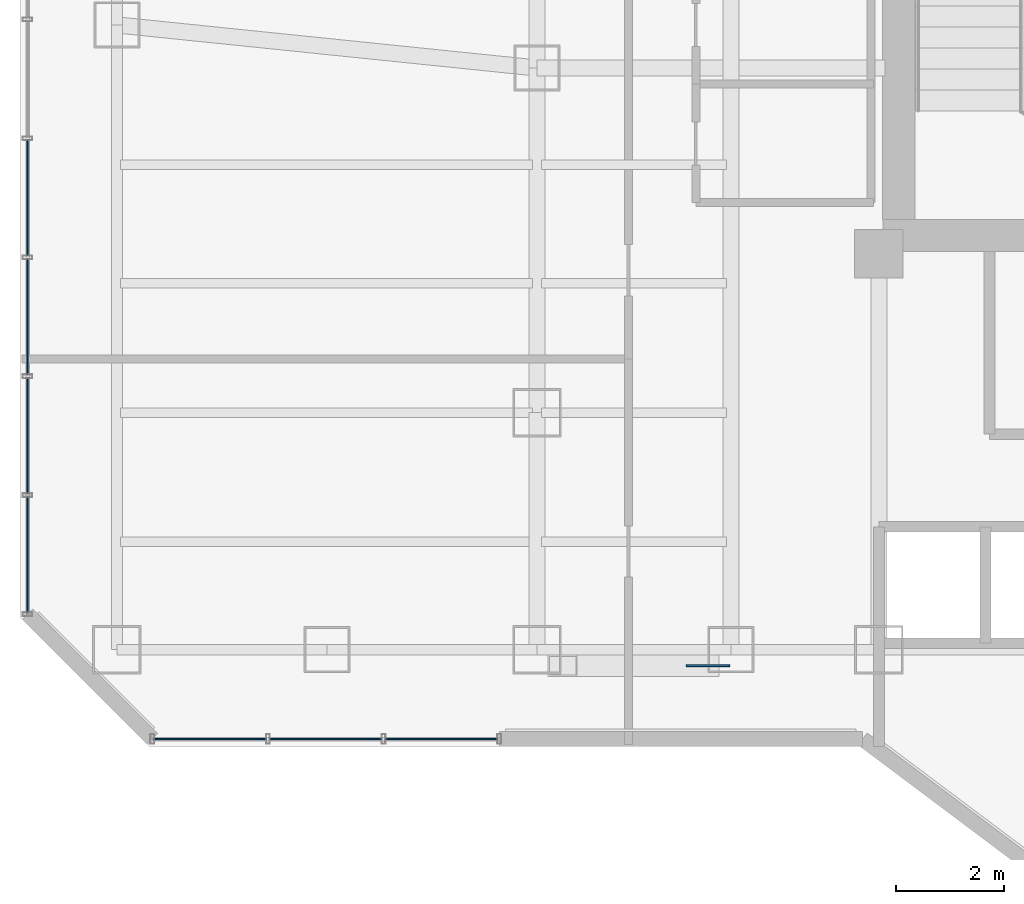
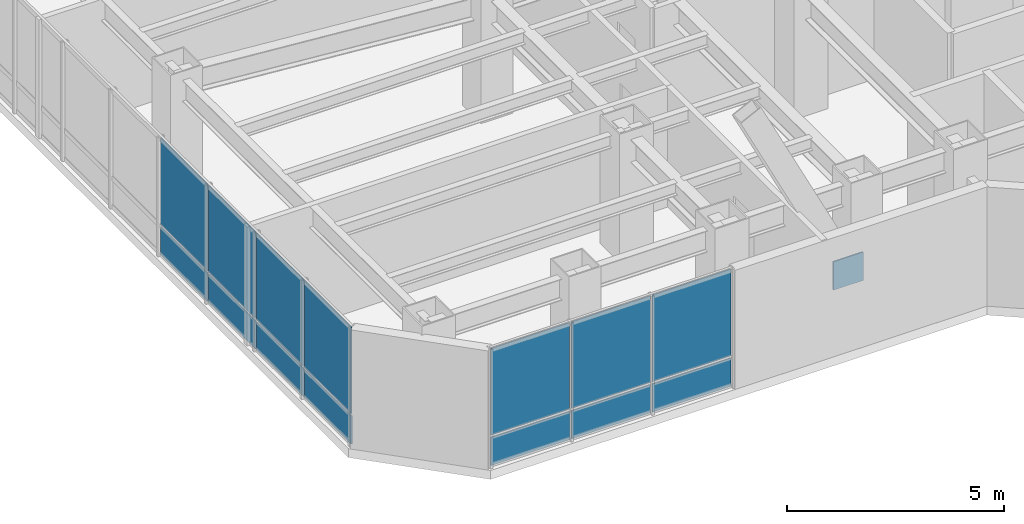
# One storey, part 20 of 30: 15 plates, 2 elements without a shape of their own.
"""IFC4 building model written with IfcOpenShell, lengths in metres."""

from ifc_helpers import new_model, si_unit, direction, frame, origin, origin_2d, place, context, subcontext, project, spatial, rectangle, extrude, material, layer, layer_set, type_object, element, aggregate, save


model = new_model("IFC4")

# Units and contexts
model_context = context("Model", 3, precision=1e-05, world=origin(), true_north=direction((0.0, 1.0)))
body_context = subcontext(model_context, "Body", "Model", "MODEL_VIEW")
ifc_project = project(units=[si_unit("LENGTHUNIT", "METRE"), si_unit("AREAUNIT", "SQUARE_METRE"), si_unit("VOLUMEUNIT", "CUBIC_METRE"), si_unit("PLANEANGLEUNIT", "RADIAN"), si_unit("MASSUNIT", "GRAM", prefix="KILO")], contexts=[model_context])

# Site, building, storey
site_placement = place(None, origin())
site = spatial("IfcSite", under=ifc_project, at=site_placement, CompositionType="ELEMENT")
building_placement = place(site_placement, origin())
building = spatial("IfcBuilding", under=site, at=building_placement, Name="Hatsunagi Terrace Concourse", CompositionType="ELEMENT")
storey_placement = place(building_placement, frame((0.0, 0.0, 101.25)))
storey = spatial("IfcBuildingStorey", under=building, at=storey_placement, Name="L26", CompositionType="ELEMENT", Elevation=101.25)

# Curtain wall, plates
ifc_material_1 = material(Name="Anodised Aluminium Alloy 6063-T5", Category="aluminium")
ifc_layer_1 = layer(ifc_material_1, 0.199951171875)
ifc_layer_set_1 = layer_set([ifc_layer_1], Name="OfficeZone1_CW03")
curtain_wall_type = type_object("IfcCurtainWallType", Name="OfficeZone1_CW03", PredefinedType="NOTDEFINED", material=ifc_layer_set_1)
curtain_wall_1_placement = place(storey_placement, origin())
curtain_wall_1 = element("IfcCurtainWall", 1, at=curtain_wall_1_placement, inside=storey, type_object=curtain_wall_type, Name="Unitised Curtain Wall CW-03 CW-L26-07", PredefinedType="NOTDEFINED")
ifc_material_2 = material(Name="Warm Terracotta Ceramic Spandrel Panel", Category="masonry")
ifc_layer_2 = layer(ifc_material_2, 0.031982421875)
ifc_layer_set_2 = layer_set([ifc_layer_2], Name="CurtainWallSpandrelPanel_32")
plate_type_1 = type_object("IfcPlateType", Name="CurtainWallSpandrelPanel_32", PredefinedType="SHEET", material=ifc_layer_set_2)
plate_1_placement = place(storey_placement, frame((17.426025390625, 23.5400390625, 0.030029296875), z_axis=(0.0, 0.0, 1.0), x_axis=(-1.0, 0.0, 0.0)))
plate_1 = element("IfcPlate", 2, at=plate_1_placement, type_object=plate_type_1, Name="Terracotta Spandrel Panel SPN-01", PredefinedType="SHEET", context=body_context, shape_type="SweptSolid", body=[
    extrude(rectangle(XDim=2.092041015625, YDim=0.031982421875, at=origin_2d()), origin(), (0.0, 0.0, 1.0), 0.7900390625),
])
plate_2_placement = place(storey_placement, frame((15.279052734375, 23.5400390625, 0.030029296875), z_axis=(0.0, 0.0, 1.0), x_axis=(-1.0, 0.0, 0.0)))
plate_2 = element("IfcPlate", 3, at=plate_2_placement, type_object=plate_type_1, Name="Terracotta Spandrel Panel SPN-01", PredefinedType="SHEET", context=body_context, shape_type="SweptSolid", body=[
    extrude(rectangle(XDim=2.092041015625, YDim=0.031982421875, at=origin_2d()), origin(), (0.0, 0.0, 1.0), 0.7900390625),
])
plate_3_placement = place(storey_placement, frame((13.132080078125, 23.5400390625, 0.030029296875), z_axis=(0.0, 0.0, 1.0), x_axis=(-1.0, 0.0, 0.0)))
plate_3 = element("IfcPlate", 4, at=plate_3_placement, type_object=plate_type_1, Name="Terracotta Spandrel Panel SPN-01", PredefinedType="SHEET", context=body_context, shape_type="SweptSolid", body=[
    extrude(rectangle(XDim=2.092041015625, YDim=0.031982421875, at=origin_2d()), origin(), (0.0, 0.0, 1.0), 0.7900390625),
])

curtain_wall_2_placement = place(storey_placement, origin())
curtain_wall_2 = element("IfcCurtainWall", 5, at=curtain_wall_2_placement, inside=storey, type_object=curtain_wall_type, Name="Unitised Curtain Wall CW-03 CW-L26-09", PredefinedType="NOTDEFINED")
plate_4_placement = place(storey_placement, frame((9.739990234375, 26.9619140625, 0.030029296875), z_axis=(0.0, 0.0, 1.0), x_axis=(0.0, 1.0, 0.0)))
plate_4 = element("IfcPlate", 6, at=plate_4_placement, type_object=plate_type_1, Name="Terracotta Spandrel Panel SPN-01", PredefinedType="SHEET", context=body_context, shape_type="SweptSolid", body=[
    extrude(rectangle(XDim=2.153076171875, YDim=0.031982421875, at=origin_2d()), origin(), (0.0, 0.0, 1.0), 0.7900390625),
])
plate_5_placement = place(storey_placement, frame((9.739990234375, 29.1708984375, 0.030029296875), z_axis=(0.0, 0.0, 1.0), x_axis=(0.0, 1.0, 0.0)))
plate_5 = element("IfcPlate", 7, at=plate_5_placement, type_object=plate_type_1, Name="Terracotta Spandrel Panel SPN-01", PredefinedType="SHEET", context=body_context, shape_type="SweptSolid", body=[
    extrude(rectangle(XDim=2.153076171875, YDim=0.031982421875, at=origin_2d()), origin(), (0.0, 0.0, 1.0), 0.7900390625),
])
plate_6_placement = place(storey_placement, frame((9.739990234375, 31.37890625, 0.030029296875), z_axis=(0.0, 0.0, 1.0), x_axis=(0.0, 1.0, 0.0)))
plate_6 = element("IfcPlate", 8, at=plate_6_placement, type_object=plate_type_1, Name="Terracotta Spandrel Panel SPN-01", PredefinedType="SHEET", context=body_context, shape_type="SweptSolid", body=[
    extrude(rectangle(XDim=2.153076171875, YDim=0.031982421875, at=origin_2d()), origin(), (0.0, 0.0, 1.0), 0.7900390625),
])
plate_7_placement = place(storey_placement, frame((9.739990234375, 33.5869140625, 0.030029296875), z_axis=(0.0, 0.0, 1.0), x_axis=(0.0, 1.0, 0.0)))
plate_7 = element("IfcPlate", 9, at=plate_7_placement, type_object=plate_type_1, Name="Terracotta Spandrel Panel SPN-01", PredefinedType="SHEET", context=body_context, shape_type="SweptSolid", body=[
    extrude(rectangle(XDim=2.153076171875, YDim=0.031982421875, at=origin_2d()), origin(), (0.0, 0.0, 1.0), 0.7900390625),
])

# Plate
ifc_material_3 = material(Name="Low-E Double Insulating Glass 28mm", Category="glass")
ifc_layer_3 = layer(ifc_material_3, 0.028076171875)
ifc_layer_set_3 = layer_set([ifc_layer_3], Name="CurtainWallVisionGlass_28")
plate_type_2 = type_object("IfcPlateType", Name="CurtainWallVisionGlass_28", PredefinedType="CURTAIN_PANEL", material=ifc_layer_set_3)
plate_8_placement = place(storey_placement, frame((17.426025390625, 23.5400390625, 0.880126953125), z_axis=(0.0, 0.0, 1.0), x_axis=(-1.0, 0.0, 0.0)))
plate_8 = element("IfcPlate", 10, at=plate_8_placement, type_object=plate_type_2, Name="Low-E Vision Glass Panel GLZ-01", PredefinedType="CURTAIN_PANEL", context=body_context, shape_type="SweptSolid", body=[
    extrude(rectangle(XDim=2.092041015625, YDim=0.028076171875, at=origin_2d()), origin(), (0.0, 0.0, 1.0), 2.43994140625),
])

plate_9_placement = place(storey_placement, frame((15.279052734375, 23.5400390625, 0.880126953125), z_axis=(0.0, 0.0, 1.0), x_axis=(-1.0, 0.0, 0.0)))
plate_9 = element("IfcPlate", 11, at=plate_9_placement, type_object=plate_type_2, Name="Low-E Vision Glass Panel GLZ-01", PredefinedType="CURTAIN_PANEL", context=body_context, shape_type="SweptSolid", body=[
    extrude(rectangle(XDim=2.092041015625, YDim=0.028076171875, at=origin_2d()), origin(), (0.0, 0.0, 1.0), 2.43994140625),
])

plate_10_placement = place(storey_placement, frame((13.132080078125, 23.5400390625, 0.880126953125), z_axis=(0.0, 0.0, 1.0), x_axis=(-1.0, 0.0, 0.0)))
plate_10 = element("IfcPlate", 12, at=plate_10_placement, type_object=plate_type_2, Name="Low-E Vision Glass Panel GLZ-01", PredefinedType="CURTAIN_PANEL", context=body_context, shape_type="SweptSolid", body=[
    extrude(rectangle(XDim=2.092041015625, YDim=0.028076171875, at=origin_2d()), origin(), (0.0, 0.0, 1.0), 2.43994140625),
])

aggregate(curtain_wall_1, [plate_1, plate_8, plate_2, plate_9, plate_3, plate_10])

plate_11_placement = place(storey_placement, frame((9.739990234375, 26.9619140625, 0.880126953125), z_axis=(0.0, 0.0, 1.0), x_axis=(0.0, 1.0, 0.0)))
plate_11 = element("IfcPlate", 13, at=plate_11_placement, type_object=plate_type_2, Name="Low-E Vision Glass Panel GLZ-01", PredefinedType="CURTAIN_PANEL", context=body_context, shape_type="SweptSolid", body=[
    extrude(rectangle(XDim=2.153076171875, YDim=0.028076171875, at=origin_2d()), origin(), (0.0, 0.0, 1.0), 2.43994140625),
])

plate_12_placement = place(storey_placement, frame((9.739990234375, 29.1708984375, 0.880126953125), z_axis=(0.0, 0.0, 1.0), x_axis=(0.0, 1.0, 0.0)))
plate_12 = element("IfcPlate", 14, at=plate_12_placement, type_object=plate_type_2, Name="Low-E Vision Glass Panel GLZ-01", PredefinedType="CURTAIN_PANEL", context=body_context, shape_type="SweptSolid", body=[
    extrude(rectangle(XDim=2.153076171875, YDim=0.028076171875, at=origin_2d()), origin(), (0.0, 0.0, 1.0), 2.43994140625),
])

plate_13_placement = place(storey_placement, frame((9.739990234375, 31.37890625, 0.880126953125), z_axis=(0.0, 0.0, 1.0), x_axis=(0.0, 1.0, 0.0)))
plate_13 = element("IfcPlate", 15, at=plate_13_placement, type_object=plate_type_2, Name="Low-E Vision Glass Panel GLZ-01", PredefinedType="CURTAIN_PANEL", context=body_context, shape_type="SweptSolid", body=[
    extrude(rectangle(XDim=2.153076171875, YDim=0.028076171875, at=origin_2d()), origin(), (0.0, 0.0, 1.0), 2.43994140625),
])

plate_14_placement = place(storey_placement, frame((9.739990234375, 33.5869140625, 0.880126953125), z_axis=(0.0, 0.0, 1.0), x_axis=(0.0, 1.0, 0.0)))
plate_14 = element("IfcPlate", 16, at=plate_14_placement, type_object=plate_type_2, Name="Low-E Vision Glass Panel GLZ-01", PredefinedType="CURTAIN_PANEL", context=body_context, shape_type="SweptSolid", body=[
    extrude(rectangle(XDim=2.153076171875, YDim=0.028076171875, at=origin_2d()), origin(), (0.0, 0.0, 1.0), 2.43994140625),
])

aggregate(curtain_wall_2, [plate_4, plate_11, plate_5, plate_12, plate_6, plate_13, plate_7, plate_14])

ifc_material_4 = material(Name="Steel SN490C", Category="steel")
ifc_layer_4 = layer(ifc_material_4, 0.031982421875)
ifc_layer_set_4 = layer_set([ifc_layer_4], Name="XBraceNodeCapPlate_32")
plate_type_3 = type_object("IfcPlateType", Name="XBraceNodeCapPlate_32", PredefinedType="USERDEFINED", material=ifc_layer_set_4)
plate_15_placement = place(storey_placement, frame((22.375, 24.89990234375, 0.6748046875), z_axis=(0.0, 0.0, 1.0), x_axis=(1.0, 0.0, 0.0)))
element("IfcPlate", 17, at=plate_15_placement, inside=storey, type_object=plate_type_3, Name="X-Brace Crossing Gusset Node Plate GP-02 XB-L25-W1", ObjectType="GUSSET_PLATE", PredefinedType="USERDEFINED", context=body_context, shape_type="SweptSolid", body=[
    extrude(rectangle(XDim=0.800048828125, YDim=0.031982421875, at=origin_2d()), origin(), (0.0, 0.0, 1.0), 0.800048828125),
])

save(model, "model.ifc")
